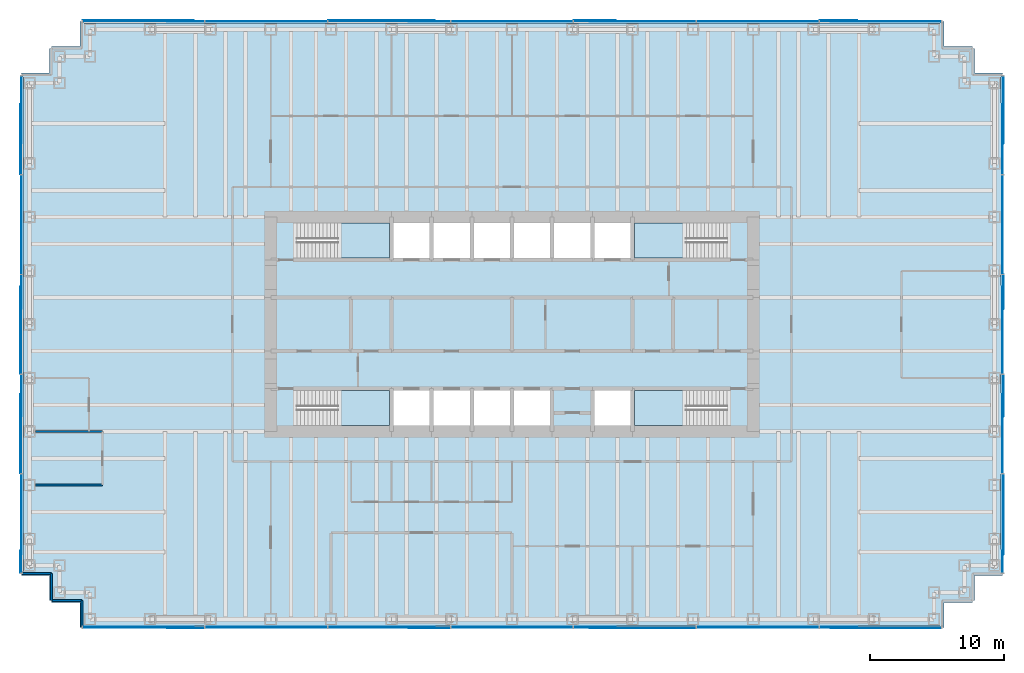
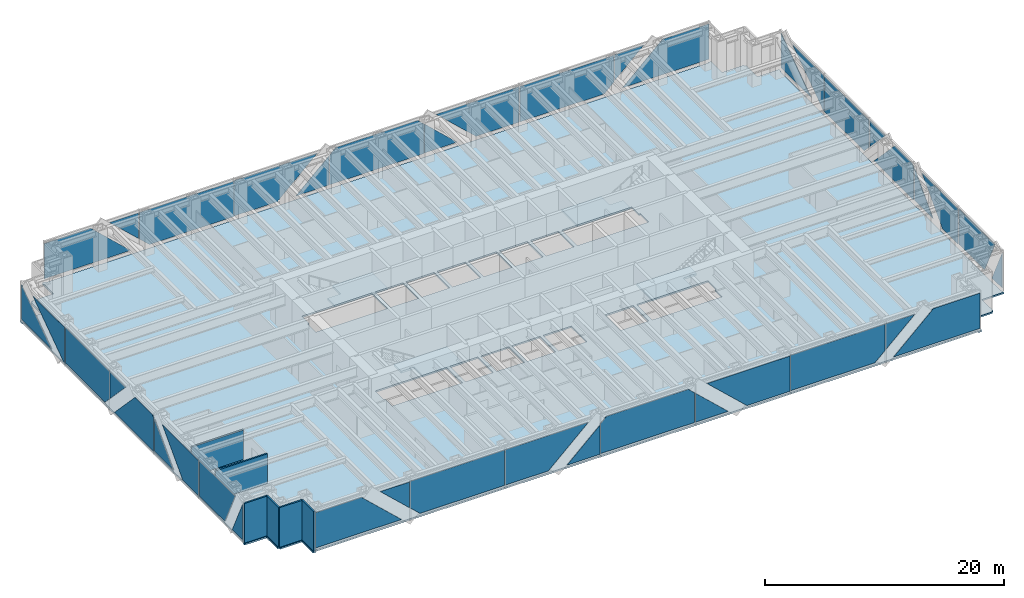
# One storey, part 10 of 15: 40 plates, 6 walls, 5 slabs, 8 elements without a shape of their own.
"""IFC4 building model written with IfcOpenShell, lengths in metres."""

from ifc_helpers import new_model, si_unit, direction, frame, frame_2d, origin, place, context, subcontext, project, spatial, polyline, rectangle, outline, extrude, material, layer, layer_set, type_object, element, aggregate, save


model = new_model("IFC4")

# Units and contexts
model_context = context("Model", 3, precision=1e-05, world=origin(), true_north=direction((0.0, 1.0)))
body_context = subcontext(model_context, "Body", "Model", "MODEL_VIEW")
ifc_project = project(units=[si_unit("LENGTHUNIT", "METRE"), si_unit("AREAUNIT", "SQUARE_METRE"), si_unit("VOLUMEUNIT", "CUBIC_METRE"), si_unit("PLANEANGLEUNIT", "RADIAN"), si_unit("MASSUNIT", "GRAM", prefix="KILO")], contexts=[model_context])

# Site, building, storey
site_placement = place(None, origin())
site = spatial("IfcSite", under=ifc_project, at=site_placement, CompositionType="ELEMENT")
building_placement = place(site_placement, origin())
building = spatial("IfcBuilding", under=site, at=building_placement, Name="Rheinbord Bourse Tower", CompositionType="ELEMENT")
storey_placement = place(building_placement, frame((0.0, 0.0, 117.300048828125)))
storey = spatial("IfcBuildingStorey", under=building, at=storey_placement, Name="L25", CompositionType="ELEMENT", Elevation=117.300048828125)

# Slab
ifc_material_1 = material(Name="Concrete C30/37", Category="concrete")
ifc_layer_1 = layer(ifc_material_1, 0.159912109375)
ifc_layer_set_1 = layer_set([ifc_layer_1], Name="COMPOSITE FLOOR SLAB 160")
slab_type_1 = type_object("IfcSlabType", Name="COMPOSITE FLOOR SLAB 160", PredefinedType="FLOOR", material=ifc_layer_set_1)
slab_1_placement = place(storey_placement, frame((0.0, 0.0, -0.16015625)))
element("IfcSlab", 1, at=slab_1_placement, inside=storey, type_object=slab_type_1, Name="Floor slab L25", PredefinedType="FLOOR", context=body_context, shape_type="SweptSolid", body=[
    extrude(outline(polyline([(1.64990234375, 3.39990234375), (1.5, 3.39990234375), (1.5, 5.25), (-0.60009765625, 5.25), (-0.60009765625, 5.550048828125), (-0.5, 5.550048828125), (-0.5, 42.449951171875), (-0.60009765625, 42.449951171875), (-0.60009765625, 42.75), (1.5, 42.75), (1.5, 44.60009765625), (1.64990234375, 44.60009765625), (1.64990234375, 44.75), (3.75, 44.75), (3.75, 46.60009765625), (4.050048828125, 46.60009765625), (4.050048828125, 46.5), (67.949951171875, 46.5), (67.949951171875, 46.60009765625), (68.25, 46.60009765625), (68.25, 44.75), (70.35009765625, 44.75), (70.35009765625, 44.60009765625), (70.5, 44.60009765625), (70.5, 42.75), (72.60009765625, 42.75), (72.60009765625, 42.449951171875), (72.5, 42.449951171875), (72.5, 5.550048828125), (72.60009765625, 5.550048828125), (72.60009765625, 5.25), (70.5, 5.25), (70.5, 3.39990234375), (70.35009765625, 3.39990234375), (70.35009765625, 3.25), (68.25, 3.25), (68.25, 1.39990234375), (67.949951171875, 1.39990234375), (67.949951171875, 1.5), (4.050048828125, 1.5), (4.050048828125, 1.39990234375), (3.75, 1.39990234375), (3.75, 3.25), (1.64990234375, 3.25), (1.64990234375, 3.39990234375)]), holes=[polyline([(19.949951171875, 19.050048828125), (26.85009765625, 19.050048828125), (26.85009765625, 16.449951171875), (20.10009765625, 16.449951171875), (20.10009765625, 17.64990234375), (19.949951171875, 17.64990234375), (19.949951171875, 19.050048828125)]), polyline([(26.85009765625, 31.550048828125), (26.85009765625, 28.949951171875), (19.949951171875, 28.949951171875), (19.949951171875, 30.35009765625), (20.10009765625, 30.35009765625), (20.10009765625, 31.550048828125), (26.85009765625, 31.550048828125)]), polyline([(45.14990234375, 16.449951171875), (45.14990234375, 19.050048828125), (52.050048828125, 19.050048828125), (52.050048828125, 17.64990234375), (51.89990234375, 17.64990234375), (51.89990234375, 16.449951171875), (45.14990234375, 16.449951171875)]), polyline([(52.050048828125, 28.949951171875), (45.14990234375, 28.949951171875), (45.14990234375, 31.550048828125), (51.89990234375, 31.550048828125), (51.89990234375, 30.35009765625), (52.050048828125, 30.35009765625), (52.050048828125, 28.949951171875)]), polyline([(27.14990234375, 16.449951171875), (27.14990234375, 19.050048828125), (29.85009765625, 19.050048828125), (29.85009765625, 16.449951171875), (27.14990234375, 16.449951171875)]), polyline([(27.14990234375, 28.949951171875), (27.14990234375, 31.550048828125), (29.85009765625, 31.550048828125), (29.85009765625, 28.949951171875), (27.14990234375, 28.949951171875)]), polyline([(30.14990234375, 16.449951171875), (30.14990234375, 19.050048828125), (32.85009765625, 19.050048828125), (32.85009765625, 16.449951171875), (30.14990234375, 16.449951171875)]), polyline([(30.14990234375, 28.949951171875), (30.14990234375, 31.550048828125), (32.85009765625, 31.550048828125), (32.85009765625, 28.949951171875), (30.14990234375, 28.949951171875)]), polyline([(33.14990234375, 16.449951171875), (33.14990234375, 19.050048828125), (35.85009765625, 19.050048828125), (35.85009765625, 16.449951171875), (33.14990234375, 16.449951171875)]), polyline([(33.14990234375, 28.949951171875), (33.14990234375, 31.550048828125), (35.85009765625, 31.550048828125), (35.85009765625, 28.949951171875), (33.14990234375, 28.949951171875)]), polyline([(36.14990234375, 16.449951171875), (36.14990234375, 19.050048828125), (38.85009765625, 19.050048828125), (38.85009765625, 16.449951171875), (36.14990234375, 16.449951171875)]), polyline([(36.14990234375, 28.949951171875), (36.14990234375, 31.550048828125), (38.85009765625, 31.550048828125), (38.85009765625, 28.949951171875), (36.14990234375, 28.949951171875)]), polyline([(39.14990234375, 28.949951171875), (39.14990234375, 31.550048828125), (41.85009765625, 31.550048828125), (41.85009765625, 28.949951171875), (39.14990234375, 28.949951171875)]), polyline([(42.14990234375, 16.449951171875), (42.14990234375, 19.050048828125), (44.85009765625, 19.050048828125), (44.85009765625, 16.449951171875), (42.14990234375, 16.449951171875)]), polyline([(42.14990234375, 28.949951171875), (42.14990234375, 31.550048828125), (44.85009765625, 31.550048828125), (44.85009765625, 28.949951171875), (42.14990234375, 28.949951171875)])]), origin(), (0.0, 0.0, 1.0), 0.16015625),
])

# Curtain wall, plates
ifc_material_2 = material(Name="Dark glass and black aluminium", Category="aluminium")
curtain_wall_type = type_object("IfcCurtainWallType", Name="CW2 DARK GLASS CURTAIN WALL", PredefinedType="USERDEFINED", material=ifc_material_2)
curtain_wall_1_placement = place(storey_placement, origin())
curtain_wall_1 = element("IfcCurtainWall", 2, at=curtain_wall_1_placement, inside=storey, type_object=curtain_wall_type, Name="Curtain wall CW2 S L25", ObjectType="UNITISED CURTAIN WALL", PredefinedType="USERDEFINED")
ifc_material_3 = material(Name="Dark tinted triple insulating glass", Category="glass")
ifc_layer_2 = layer(ifc_material_3, 0.050048828125)
ifc_layer_set_2 = layer_set([ifc_layer_2], Name="CW2 DARK GLASS PANEL")
plate_type = type_object("IfcPlateType", Name="CW2 DARK GLASS PANEL", PredefinedType="CURTAIN_PANEL", material=ifc_layer_set_2)
plate_1_placement = place(storey_placement, frame((3.969970703125, 1.375, 0.300048828125), z_axis=(0.0, 1.0, 0.0), x_axis=(0.0, 0.0, 1.0)))
plate_1 = element("IfcPlate", 3, at=plate_1_placement, type_object=plate_type, Name="CW2 glass facet 1", PredefinedType="CURTAIN_PANEL", context=body_context, shape_type="SweptSolid", body=[
    extrude(outline(polyline([(0.0, 0.0), (3.599853515625, 0.0), (3.599853515625, 4.465087890625), (0.0, 8.322021484375), (0.0, 0.0)])), origin(), (0.0, 0.0, 1.0), 0.050048828125),
])
plate_2_placement = place(storey_placement, frame((13.035888671875, 1.31982421875, 3.89990234375), z_axis=(0.0, 1.0, 0.0), x_axis=(0.0, 0.0, -1.0)))
plate_2 = element("IfcPlate", 4, at=plate_2_placement, type_object=plate_type, Name="CW2 glass facet 2", PredefinedType="CURTAIN_PANEL", context=body_context, shape_type="SweptSolid", body=[
    extrude(outline(polyline([(0.0, 0.0), (2.639892578125, 0.0), (0.0, 2.827880859375), (0.0, 0.0)])), origin(), (0.0, 0.0, 1.0), 0.050048828125),
])
plate_3_placement = place(storey_placement, frame((13.10595703125, 1.375, 3.89990234375), z_axis=(0.0, 1.0, 0.0), x_axis=(1.0, 0.0, 0.0)))
plate_3 = element("IfcPlate", 5, at=plate_3_placement, type_object=plate_type, Name="CW2 glass facet 1", PredefinedType="CURTAIN_PANEL", context=body_context, shape_type="SweptSolid", body=[
    extrude(outline(polyline([(0.0, 0.0), (9.10205078125, 0.0), (9.10205078125, 3.599853515625), (0.958984375, 3.599853515625), (0.0, 2.704833984375), (0.0, 0.0)])), origin(), (0.0, 0.0, 1.0), 0.050048828125),
])
plate_4_placement = place(storey_placement, frame((22.278076171875, 1.375, 0.300048828125), z_axis=(0.0, 1.0, 0.0), x_axis=(0.0, 0.0, 1.0)))
plate_4 = element("IfcPlate", 6, at=plate_4_placement, type_object=plate_type, Name="CW2 glass facet 1", PredefinedType="CURTAIN_PANEL", context=body_context, shape_type="SweptSolid", body=[
    extrude(outline(polyline([(0.0, 0.0), (3.599853515625, 0.0), (3.599853515625, 8.013916015625), (0.0, 4.156982421875), (0.0, 0.0)])), origin(), (0.0, 0.0, 1.0), 0.050048828125),
])
plate_5_placement = place(storey_placement, frame((31.37890625, 1.31982421875, 0.300048828125), z_axis=(0.0, 1.0, 0.0), x_axis=(-1.0, 0.0, 0.0)))
plate_5 = element("IfcPlate", 7, at=plate_5_placement, type_object=plate_type, Name="CW2 glass facet 2", PredefinedType="CURTAIN_PANEL", context=body_context, shape_type="SweptSolid", body=[
    extrude(outline(polyline([(0.0, 0.0), (3.1708984375, 0.0), (0.0, 2.9599609375), (0.0, 0.0)])), origin(), (0.0, 0.0, 1.0), 0.050048828125),
])
plate_6_placement = place(storey_placement, frame((40.551025390625, 1.375, 0.300048828125), z_axis=(0.0, 1.0, 0.0), x_axis=(-1.0, 0.0, 0.0)))
plate_6 = element("IfcPlate", 8, at=plate_6_placement, type_object=plate_type, Name="CW2 glass facet 1", PredefinedType="CURTAIN_PANEL", context=body_context, shape_type="SweptSolid", body=[
    extrude(outline(polyline([(0.0, 0.0), (9.10205078125, 0.0), (9.10205078125, 3.02490234375), (8.486083984375, 3.599853515625), (0.615966796875, 3.599853515625), (0.0, 3.02490234375), (0.0, 0.0)])), origin(), (0.0, 0.0, 1.0), 0.050048828125),
])
plate_7_placement = place(storey_placement, frame((40.62109375, 1.375, 0.300048828125), z_axis=(0.0, 1.0, 0.0), x_axis=(0.0, 0.0, 1.0)))
plate_7 = element("IfcPlate", 9, at=plate_7_placement, type_object=plate_type, Name="CW2 glass facet 1", PredefinedType="CURTAIN_PANEL", context=body_context, shape_type="SweptSolid", body=[
    extrude(outline(polyline([(0.0, 0.0), (2.9599609375, 0.0), (0.0, 3.1708984375), (0.0, 0.0)])), origin(), (0.0, 0.0, 1.0), 0.050048828125),
])
plate_8_placement = place(storey_placement, frame((49.721923828125, 1.31982421875, 3.89990234375), z_axis=(0.0, 1.0, 0.0), x_axis=(0.0, 0.0, -1.0)))
plate_8 = element("IfcPlate", 10, at=plate_8_placement, type_object=plate_type, Name="CW2 glass facet 2", PredefinedType="CURTAIN_PANEL", context=body_context, shape_type="SweptSolid", body=[
    extrude(outline(polyline([(0.0, 0.0), (3.599853515625, 0.0), (3.599853515625, 4.156982421875), (0.0, 8.013916015625), (0.0, 0.0)])), origin(), (0.0, 0.0, 1.0), 0.050048828125),
])
plate_9_placement = place(storey_placement, frame((49.7919921875, 1.375, 0.300048828125), z_axis=(0.0, 1.0, 0.0), x_axis=(0.0, 0.0, 1.0)))
plate_9 = element("IfcPlate", 11, at=plate_9_placement, type_object=plate_type, Name="CW2 glass facet 1", PredefinedType="CURTAIN_PANEL", context=body_context, shape_type="SweptSolid", body=[
    extrude(outline(polyline([(0.0, 0.0), (3.599853515625, 0.0), (3.599853515625, 9.10205078125), (0.89501953125, 9.10205078125), (0.0, 8.14306640625), (0.0, 0.0)])), origin(), (0.0, 0.0, 1.0), 0.050048828125),
])
plate_10_placement = place(storey_placement, frame((58.964111328125, 1.375, 3.89990234375), z_axis=(0.0, 1.0, 0.0), x_axis=(1.0, 0.0, 0.0)))
plate_10 = element("IfcPlate", 12, at=plate_10_placement, type_object=plate_type, Name="CW2 glass facet 1", PredefinedType="CURTAIN_PANEL", context=body_context, shape_type="SweptSolid", body=[
    extrude(outline(polyline([(0.0, 0.0), (2.827880859375, 0.0), (0.0, 2.639892578125), (0.0, 0.0)])), origin(), (0.0, 0.0, 1.0), 0.050048828125),
])
plate_11_placement = place(storey_placement, frame((68.030029296875, 1.31982421875, 3.89990234375), z_axis=(0.0, 1.0, 0.0), x_axis=(0.0, 0.0, -1.0)))
plate_11 = element("IfcPlate", 13, at=plate_11_placement, type_object=plate_type, Name="CW2 glass facet 2", PredefinedType="CURTAIN_PANEL", context=body_context, shape_type="SweptSolid", body=[
    extrude(outline(polyline([(0.0, 0.0), (3.599853515625, 0.0), (3.599853515625, 8.322021484375), (0.0, 4.465087890625), (0.0, 0.0)])), origin(), (0.0, 0.0, 1.0), 0.050048828125),
])
aggregate(curtain_wall_1, [plate_1, plate_2, plate_3, plate_4, plate_5, plate_6, plate_7, plate_8, plate_9, plate_10, plate_11])

curtain_wall_2_placement = place(storey_placement, origin())
curtain_wall_2 = element("IfcCurtainWall", 14, at=curtain_wall_2_placement, inside=storey, type_object=curtain_wall_type, Name="Curtain wall CW2 E L25", ObjectType="UNITISED CURTAIN WALL", PredefinedType="USERDEFINED")
plate_12_placement = place(storey_placement, frame((72.625, 5.469970703125, 0.300048828125), z_axis=(-1.0, 0.0, 0.0), x_axis=(0.0, 0.0, 1.0)))
plate_12 = element("IfcPlate", 15, at=plate_12_placement, type_object=plate_type, Name="CW2 glass facet 1", PredefinedType="CURTAIN_PANEL", context=body_context, shape_type="SweptSolid", body=[
    extrude(outline(polyline([(0.0, 0.0), (3.599853515625, 0.0), (3.599853515625, 0.0029296875), (0.0, 1.717041015625), (0.0, 0.0)])), origin(), (0.0, 0.0, 1.0), 0.050048828125),
])
plate_13_placement = place(storey_placement, frame((72.68017578125, 12.804931640625, 3.89990234375), z_axis=(-1.0, 0.0, 0.0), x_axis=(0.0, 0.0, -1.0)))
plate_13 = element("IfcPlate", 16, at=plate_13_placement, type_object=plate_type, Name="CW2 glass facet 2", PredefinedType="CURTAIN_PANEL", context=body_context, shape_type="SweptSolid", body=[
    extrude(outline(polyline([(0.0, 0.0), (3.599853515625, 0.0), (3.599853515625, 4.27783203125), (0.0, 5.991943359375), (0.0, 0.0)])), origin(), (0.0, 0.0, 1.0), 0.050048828125),
])
plate_14_placement = place(storey_placement, frame((72.625, 12.875, 0.300048828125), z_axis=(-1.0, 0.0, 0.0), x_axis=(0.0, 0.0, 1.0)))
plate_14 = element("IfcPlate", 17, at=plate_14_placement, type_object=plate_type, Name="CW2 glass facet 1", PredefinedType="CURTAIN_PANEL", context=body_context, shape_type="SweptSolid", body=[
    extrude(outline(polyline([(0.0, 0.0), (3.599853515625, 0.0), (3.599853515625, 6.00390625), (0.0, 2.574951171875), (0.0, 0.0)])), origin(), (0.0, 0.0, 1.0), 0.050048828125),
])
plate_15_placement = place(storey_placement, frame((72.68017578125, 20.2451171875, 0.300048828125), z_axis=(-1.0, 0.0, 0.0), x_axis=(0.0, -1.0, 0.0)))
plate_15 = element("IfcPlate", 18, at=plate_15_placement, type_object=plate_type, Name="CW2 glass facet 2", PredefinedType="CURTAIN_PANEL", context=body_context, shape_type="SweptSolid", body=[
    extrude(outline(polyline([(0.0, 0.0), (3.1240234375, 0.0), (0.0, 3.27978515625), (0.0, 0.0)])), origin(), (0.0, 0.0, 1.0), 0.050048828125),
])
plate_16_placement = place(storey_placement, frame((72.625, 20.31494140625, 0.300048828125), z_axis=(-1.0, 0.0, 0.0), x_axis=(0.0, 0.0, 1.0)))
plate_16 = element("IfcPlate", 19, at=plate_16_placement, type_object=plate_type, Name="CW2 glass facet 1", PredefinedType="CURTAIN_PANEL", context=body_context, shape_type="SweptSolid", body=[
    extrude(outline(polyline([(0.0, 0.0), (3.35400390625, 0.0), (3.599853515625, 0.235107421875), (3.599853515625, 3.135009765625), (0.0, 6.56396484375), (0.0, 0.0)])), origin(), (0.0, 0.0, 1.0), 0.050048828125),
])
plate_17_placement = place(storey_placement, frame((72.68017578125, 27.68505859375, 3.89990234375), z_axis=(-1.0, 0.0, 0.0), x_axis=(0.0, 0.0, -1.0)))
plate_17 = element("IfcPlate", 20, at=plate_17_placement, type_object=plate_type, Name="CW2 glass facet 2", PredefinedType="CURTAIN_PANEL", context=body_context, shape_type="SweptSolid", body=[
    extrude(outline(polyline([(0.0, 0.0), (2.69189453125, 0.0), (0.0, 2.56396484375), (0.0, 0.0)])), origin(), (0.0, 0.0, 1.0), 0.050048828125),
])
plate_18_placement = place(storey_placement, frame((72.625, 27.7548828125, 3.89990234375), z_axis=(-1.0, 0.0, 0.0), x_axis=(0.0, 1.0, 0.0)))
plate_18 = element("IfcPlate", 21, at=plate_18_placement, type_object=plate_type, Name="CW2 glass facet 1", PredefinedType="CURTAIN_PANEL", context=body_context, shape_type="SweptSolid", body=[
    extrude(outline(polyline([(0.0, 0.0), (7.3701171875, 0.0), (7.3701171875, 3.599853515625), (0.795166015625, 3.599853515625), (0.0, 2.765869140625), (0.0, 0.0)])), origin(), (0.0, 0.0, 1.0), 0.050048828125),
])
plate_19_placement = place(storey_placement, frame((72.625, 35.195068359375, 0.300048828125), z_axis=(-1.0, 0.0, 0.0), x_axis=(0.0, 0.0, 1.0)))
plate_19 = element("IfcPlate", 22, at=plate_19_placement, type_object=plate_type, Name="CW2 glass facet 1", PredefinedType="CURTAIN_PANEL", context=body_context, shape_type="SweptSolid", body=[
    extrude(outline(polyline([(0.0, 0.0), (3.599853515625, 0.0), (3.599853515625, 5.321044921875), (0.0, 0.178955078125), (0.0, 0.0)])), origin(), (0.0, 0.0, 1.0), 0.050048828125),
])
plate_20_placement = place(storey_placement, frame((72.68017578125, 42.530029296875, 0.300048828125), z_axis=(-1.0, 0.0, 0.0), x_axis=(0.0, -1.0, 0.0)))
plate_20 = element("IfcPlate", 23, at=plate_20_placement, type_object=plate_type, Name="CW2 glass facet 2", PredefinedType="CURTAIN_PANEL", context=body_context, shape_type="SweptSolid", body=[
    extrude(outline(polyline([(0.0, 0.0), (5.046142578125, 0.0), (0.0, 3.532958984375), (0.0, 0.0)])), origin(), (0.0, 0.0, 1.0), 0.050048828125),
])
aggregate(curtain_wall_2, [plate_12, plate_13, plate_14, plate_15, plate_16, plate_17, plate_18, plate_19, plate_20])

curtain_wall_3_placement = place(storey_placement, origin())
curtain_wall_3 = element("IfcCurtainWall", 24, at=curtain_wall_3_placement, inside=storey, type_object=curtain_wall_type, Name="Curtain wall CW2 N L25", ObjectType="UNITISED CURTAIN WALL", PredefinedType="USERDEFINED")
plate_21_placement = place(storey_placement, frame((68.030029296875, 46.625, 0.300048828125), z_axis=(0.0, -1.0, 0.0), x_axis=(0.0, 0.0, 1.0)))
plate_21 = element("IfcPlate", 25, at=plate_21_placement, type_object=plate_type, Name="CW2 glass facet 1", PredefinedType="CURTAIN_PANEL", context=body_context, shape_type="SweptSolid", body=[
    extrude(outline(polyline([(0.0, 0.0), (3.599853515625, 0.0), (3.599853515625, 4.465087890625), (0.0, 8.322021484375), (0.0, 0.0)])), origin(), (0.0, 0.0, 1.0), 0.050048828125),
])
plate_22_placement = place(storey_placement, frame((58.964111328125, 46.68017578125, 3.89990234375), z_axis=(0.0, -1.0, 0.0), x_axis=(0.0, 0.0, -1.0)))
plate_22 = element("IfcPlate", 26, at=plate_22_placement, type_object=plate_type, Name="CW2 glass facet 2", PredefinedType="CURTAIN_PANEL", context=body_context, shape_type="SweptSolid", body=[
    extrude(outline(polyline([(0.0, 0.0), (2.639892578125, 0.0), (0.0, 2.827880859375), (0.0, 0.0)])), origin(), (0.0, 0.0, 1.0), 0.050048828125),
])
plate_23_placement = place(storey_placement, frame((58.89404296875, 46.625, 3.89990234375), z_axis=(0.0, -1.0, 0.0), x_axis=(-1.0, 0.0, 0.0)))
plate_23 = element("IfcPlate", 27, at=plate_23_placement, type_object=plate_type, Name="CW2 glass facet 1", PredefinedType="CURTAIN_PANEL", context=body_context, shape_type="SweptSolid", body=[
    extrude(outline(polyline([(0.0, 0.0), (9.10205078125, 0.0), (9.10205078125, 3.599853515625), (0.958984375, 3.599853515625), (0.0, 2.704833984375), (0.0, 0.0)])), origin(), (0.0, 0.0, 1.0), 0.050048828125),
])
plate_24_placement = place(storey_placement, frame((49.721923828125, 46.625, 0.300048828125), z_axis=(0.0, -1.0, 0.0), x_axis=(0.0, 0.0, 1.0)))
plate_24 = element("IfcPlate", 28, at=plate_24_placement, type_object=plate_type, Name="CW2 glass facet 1", PredefinedType="CURTAIN_PANEL", context=body_context, shape_type="SweptSolid", body=[
    extrude(outline(polyline([(0.0, 0.0), (3.599853515625, 0.0), (3.599853515625, 8.013916015625), (0.0, 4.156982421875), (0.0, 0.0)])), origin(), (0.0, 0.0, 1.0), 0.050048828125),
])
plate_25_placement = place(storey_placement, frame((40.62109375, 46.68017578125, 0.300048828125), z_axis=(0.0, -1.0, 0.0), x_axis=(1.0, 0.0, 0.0)))
plate_25 = element("IfcPlate", 29, at=plate_25_placement, type_object=plate_type, Name="CW2 glass facet 2", PredefinedType="CURTAIN_PANEL", context=body_context, shape_type="SweptSolid", body=[
    extrude(outline(polyline([(0.0, 0.0), (3.1708984375, 0.0), (0.0, 2.9599609375), (0.0, 0.0)])), origin(), (0.0, 0.0, 1.0), 0.050048828125),
])
plate_26_placement = place(storey_placement, frame((31.448974609375, 46.625, 0.300048828125), z_axis=(0.0, -1.0, 0.0), x_axis=(1.0, 0.0, 0.0)))
plate_26 = element("IfcPlate", 30, at=plate_26_placement, type_object=plate_type, Name="CW2 glass facet 1", PredefinedType="CURTAIN_PANEL", context=body_context, shape_type="SweptSolid", body=[
    extrude(outline(polyline([(0.0, 0.0), (9.10205078125, 0.0), (9.10205078125, 3.02490234375), (8.486083984375, 3.599853515625), (0.615966796875, 3.599853515625), (0.0, 3.02490234375), (0.0, 0.0)])), origin(), (0.0, 0.0, 1.0), 0.050048828125),
])
plate_27_placement = place(storey_placement, frame((31.37890625, 46.625, 0.300048828125), z_axis=(0.0, -1.0, 0.0), x_axis=(0.0, 0.0, 1.0)))
plate_27 = element("IfcPlate", 31, at=plate_27_placement, type_object=plate_type, Name="CW2 glass facet 1", PredefinedType="CURTAIN_PANEL", context=body_context, shape_type="SweptSolid", body=[
    extrude(outline(polyline([(0.0, 0.0), (2.9599609375, 0.0), (0.0, 3.1708984375), (0.0, 0.0)])), origin(), (0.0, 0.0, 1.0), 0.050048828125),
])
plate_28_placement = place(storey_placement, frame((22.278076171875, 46.68017578125, 3.89990234375), z_axis=(0.0, -1.0, 0.0), x_axis=(0.0, 0.0, -1.0)))
plate_28 = element("IfcPlate", 32, at=plate_28_placement, type_object=plate_type, Name="CW2 glass facet 2", PredefinedType="CURTAIN_PANEL", context=body_context, shape_type="SweptSolid", body=[
    extrude(outline(polyline([(0.0, 0.0), (3.599853515625, 0.0), (3.599853515625, 4.156982421875), (0.0, 8.013916015625), (0.0, 0.0)])), origin(), (0.0, 0.0, 1.0), 0.050048828125),
])
plate_29_placement = place(storey_placement, frame((22.2080078125, 46.625, 0.300048828125), z_axis=(0.0, -1.0, 0.0), x_axis=(0.0, 0.0, 1.0)))
plate_29 = element("IfcPlate", 33, at=plate_29_placement, type_object=plate_type, Name="CW2 glass facet 1", PredefinedType="CURTAIN_PANEL", context=body_context, shape_type="SweptSolid", body=[
    extrude(outline(polyline([(0.0, 0.0), (3.599853515625, 0.0), (3.599853515625, 9.10205078125), (0.89501953125, 9.10205078125), (0.0, 8.14306640625), (0.0, 0.0)])), origin(), (0.0, 0.0, 1.0), 0.050048828125),
])
plate_30_placement = place(storey_placement, frame((13.035888671875, 46.625, 3.89990234375), z_axis=(0.0, -1.0, 0.0), x_axis=(-1.0, 0.0, 0.0)))
plate_30 = element("IfcPlate", 34, at=plate_30_placement, type_object=plate_type, Name="CW2 glass facet 1", PredefinedType="CURTAIN_PANEL", context=body_context, shape_type="SweptSolid", body=[
    extrude(outline(polyline([(0.0, 0.0), (2.827880859375, 0.0), (0.0, 2.639892578125), (0.0, 0.0)])), origin(), (0.0, 0.0, 1.0), 0.050048828125),
])
plate_31_placement = place(storey_placement, frame((3.969970703125, 46.68017578125, 3.89990234375), z_axis=(0.0, -1.0, 0.0), x_axis=(0.0, 0.0, -1.0)))
plate_31 = element("IfcPlate", 35, at=plate_31_placement, type_object=plate_type, Name="CW2 glass facet 2", PredefinedType="CURTAIN_PANEL", context=body_context, shape_type="SweptSolid", body=[
    extrude(outline(polyline([(0.0, 0.0), (3.599853515625, 0.0), (3.599853515625, 8.322021484375), (0.0, 4.465087890625), (0.0, 0.0)])), origin(), (0.0, 0.0, 1.0), 0.050048828125),
])
aggregate(curtain_wall_3, [plate_21, plate_22, plate_23, plate_24, plate_25, plate_26, plate_27, plate_28, plate_29, plate_30, plate_31])

curtain_wall_4_placement = place(storey_placement, origin())
curtain_wall_4 = element("IfcCurtainWall", 36, at=curtain_wall_4_placement, inside=storey, type_object=curtain_wall_type, Name="Curtain wall CW2 W L25", ObjectType="UNITISED CURTAIN WALL", PredefinedType="USERDEFINED")
plate_32_placement = place(storey_placement, frame((-0.625, 42.530029296875, 0.300048828125), z_axis=(1.0, 0.0, 0.0), x_axis=(0.0, 0.0, 1.0)))
plate_32 = element("IfcPlate", 37, at=plate_32_placement, type_object=plate_type, Name="CW2 glass facet 1", PredefinedType="CURTAIN_PANEL", context=body_context, shape_type="SweptSolid", body=[
    extrude(outline(polyline([(0.0, 0.0), (3.532958984375, 0.0), (0.0, 5.046142578125), (0.0, 0.0)])), origin(), (0.0, 0.0, 1.0), 0.050048828125),
])
plate_33_placement = place(storey_placement, frame((-0.68017578125, 35.195068359375, 3.89990234375), z_axis=(1.0, 0.0, 0.0), x_axis=(0.0, 0.0, -1.0)))
plate_33 = element("IfcPlate", 38, at=plate_33_placement, type_object=plate_type, Name="CW2 glass facet 2", PredefinedType="CURTAIN_PANEL", context=body_context, shape_type="SweptSolid", body=[
    extrude(outline(polyline([(0.0, 0.0), (3.599853515625, 0.0), (3.599853515625, 0.178955078125), (0.0, 5.321044921875), (0.0, 0.0)])), origin(), (0.0, 0.0, 1.0), 0.050048828125),
])
plate_34_placement = place(storey_placement, frame((-0.625, 35.125, 0.300048828125), z_axis=(1.0, 0.0, 0.0), x_axis=(0.0, 0.0, 1.0)))
plate_34 = element("IfcPlate", 39, at=plate_34_placement, type_object=plate_type, Name="CW2 glass facet 1", PredefinedType="CURTAIN_PANEL", context=body_context, shape_type="SweptSolid", body=[
    extrude(outline(polyline([(0.0, 0.0), (3.599853515625, 0.0), (3.599853515625, 7.3701171875), (0.833984375, 7.3701171875), (0.0, 6.574951171875), (0.0, 0.0)])), origin(), (0.0, 0.0, 1.0), 0.050048828125),
])
plate_35_placement = place(storey_placement, frame((-0.625, 27.68505859375, 3.89990234375), z_axis=(1.0, 0.0, 0.0), x_axis=(0.0, -1.0, 0.0)))
plate_35 = element("IfcPlate", 40, at=plate_35_placement, type_object=plate_type, Name="CW2 glass facet 1", PredefinedType="CURTAIN_PANEL", context=body_context, shape_type="SweptSolid", body=[
    extrude(outline(polyline([(0.0, 0.0), (2.56396484375, 0.0), (0.0, 2.69189453125), (0.0, 0.0)])), origin(), (0.0, 0.0, 1.0), 0.050048828125),
])
plate_36_placement = place(storey_placement, frame((-0.68017578125, 20.31494140625, 0.300048828125), z_axis=(1.0, 0.0, 0.0), x_axis=(0.0, 1.0, 0.0)))
plate_36 = element("IfcPlate", 41, at=plate_36_placement, type_object=plate_type, Name="CW2 glass facet 2", PredefinedType="CURTAIN_PANEL", context=body_context, shape_type="SweptSolid", body=[
    extrude(outline(polyline([(0.0, 0.0), (6.56396484375, 0.0), (3.135009765625, 3.599853515625), (0.235107421875, 3.599853515625), (0.0, 3.35400390625), (0.0, 0.0)])), origin(), (0.0, 0.0, 1.0), 0.050048828125),
])
plate_37_placement = place(storey_placement, frame((-0.625, 20.2451171875, 0.300048828125), z_axis=(1.0, 0.0, 0.0), x_axis=(0.0, 0.0, 1.0)))
plate_37 = element("IfcPlate", 42, at=plate_37_placement, type_object=plate_type, Name="CW2 glass facet 1", PredefinedType="CURTAIN_PANEL", context=body_context, shape_type="SweptSolid", body=[
    extrude(outline(polyline([(0.0, 0.0), (3.27978515625, 0.0), (0.0, 3.1240234375), (0.0, 0.0)])), origin(), (0.0, 0.0, 1.0), 0.050048828125),
])
plate_38_placement = place(storey_placement, frame((-0.68017578125, 12.875, 3.89990234375), z_axis=(1.0, 0.0, 0.0), x_axis=(0.0, 0.0, -1.0)))
plate_38 = element("IfcPlate", 43, at=plate_38_placement, type_object=plate_type, Name="CW2 glass facet 2", PredefinedType="CURTAIN_PANEL", context=body_context, shape_type="SweptSolid", body=[
    extrude(outline(polyline([(0.0, 0.0), (3.599853515625, 0.0), (3.599853515625, 2.574951171875), (0.0, 6.00390625), (0.0, 0.0)])), origin(), (0.0, 0.0, 1.0), 0.050048828125),
])
plate_39_placement = place(storey_placement, frame((-0.625, 12.804931640625, 0.300048828125), z_axis=(1.0, 0.0, 0.0), x_axis=(0.0, 0.0, 1.0)))
plate_39 = element("IfcPlate", 44, at=plate_39_placement, type_object=plate_type, Name="CW2 glass facet 1", PredefinedType="CURTAIN_PANEL", context=body_context, shape_type="SweptSolid", body=[
    extrude(outline(polyline([(0.0, 0.0), (3.599853515625, 0.0), (3.599853515625, 5.991943359375), (0.0, 4.27783203125), (0.0, 0.0)])), origin(), (0.0, 0.0, 1.0), 0.050048828125),
])
plate_40_placement = place(storey_placement, frame((-0.68017578125, 5.469970703125, 3.89990234375), z_axis=(1.0, 0.0, 0.0), x_axis=(0.0, 0.0, -1.0)))
plate_40 = element("IfcPlate", 45, at=plate_40_placement, type_object=plate_type, Name="CW2 glass facet 2", PredefinedType="CURTAIN_PANEL", context=body_context, shape_type="SweptSolid", body=[
    extrude(outline(polyline([(0.0, 0.0), (3.599853515625, 0.0), (3.599853515625, 1.717041015625), (0.0, 0.0029296875), (0.0, 0.0)])), origin(), (0.0, 0.0, 1.0), 0.050048828125),
])
aggregate(curtain_wall_4, [plate_32, plate_33, plate_34, plate_35, plate_36, plate_37, plate_38, plate_39, plate_40])

# Stair, slab
ifc_material_4 = material(Name="Concrete C30/37", Category="concrete")
stair_type = type_object("IfcStairType", Name="CORE STAIR HALF TURN 4200", PredefinedType="HALF_TURN_STAIR", material=ifc_material_4)
stair_1_placement = place(storey_placement, origin())
stair_1 = element("IfcStair", 46, at=stair_1_placement, inside=storey, type_object=stair_type, Name="Stair ST1 L25, type CS6", PredefinedType="HALF_TURN_STAIR")
ifc_material_5 = material(Name="Concrete C30/37", Category="concrete")
ifc_layer_3 = layer(ifc_material_5, 0.199951171875)
ifc_layer_set_3 = layer_set([ifc_layer_3], Name="STAIR LANDING 200")
slab_type_2 = type_object("IfcSlabType", Name="STAIR LANDING 200", PredefinedType="LANDING", material=ifc_layer_set_3)
slab_2_placement = place(storey_placement, frame((0.0, 0.0, 1.89990234375)))
slab_2 = element("IfcSlab", 47, at=slab_2_placement, type_object=slab_type_2, Name="Half landing ST1 L25", PredefinedType="LANDING", context=body_context, shape_type="SweptSolid", body=[
    extrude(outline(polyline([(23.030029296875, 16.449951171875), (26.85009765625, 16.449951171875), (26.85009765625, 19.050048828125), (21.748046875, 19.050048828125), (21.748046875, 17.85009765625), (23.030029296875, 17.85009765625), (23.030029296875, 16.449951171875)])), origin(), (0.0, 0.0, 1.0), 0.199951171875),
])
aggregate(stair_1, [slab_2])

stair_2_placement = place(storey_placement, origin())
stair_2 = element("IfcStair", 48, at=stair_2_placement, inside=storey, type_object=stair_type, Name="Stair ST2 L25, type CS6", PredefinedType="HALF_TURN_STAIR")
slab_3_placement = place(storey_placement, frame((0.0, 0.0, 1.89990234375)))
slab_3 = element("IfcSlab", 49, at=slab_3_placement, type_object=slab_type_2, Name="Half landing ST2 L25", PredefinedType="LANDING", context=body_context, shape_type="SweptSolid", body=[
    extrude(outline(polyline([(21.748046875, 28.949951171875), (26.85009765625, 28.949951171875), (26.85009765625, 31.550048828125), (23.030029296875, 31.550048828125), (23.030029296875, 30.14990234375), (21.748046875, 30.14990234375), (21.748046875, 28.949951171875)])), origin(), (0.0, 0.0, 1.0), 0.199951171875),
])
aggregate(stair_2, [slab_3])

stair_3_placement = place(storey_placement, origin())
stair_3 = element("IfcStair", 50, at=stair_3_placement, inside=storey, type_object=stair_type, Name="Stair ST3 L25, type CS6", PredefinedType="HALF_TURN_STAIR")
slab_4_placement = place(storey_placement, frame((0.0, 0.0, 1.89990234375)))
slab_4 = element("IfcSlab", 51, at=slab_4_placement, type_object=slab_type_2, Name="Half landing ST3 L25", PredefinedType="LANDING", context=body_context, shape_type="SweptSolid", body=[
    extrude(outline(polyline([(45.14990234375, 16.449951171875), (48.969970703125, 16.449951171875), (48.969970703125, 17.85009765625), (50.251953125, 17.85009765625), (50.251953125, 19.050048828125), (45.14990234375, 19.050048828125), (45.14990234375, 16.449951171875)])), origin(), (0.0, 0.0, 1.0), 0.199951171875),
])
aggregate(stair_3, [slab_4])

stair_4_placement = place(storey_placement, origin())
stair_4 = element("IfcStair", 52, at=stair_4_placement, inside=storey, type_object=stair_type, Name="Stair ST4 L25, type CS6", PredefinedType="HALF_TURN_STAIR")
slab_5_placement = place(storey_placement, frame((0.0, 0.0, 1.89990234375)))
slab_5 = element("IfcSlab", 53, at=slab_5_placement, type_object=slab_type_2, Name="Half landing ST4 L25", PredefinedType="LANDING", context=body_context, shape_type="SweptSolid", body=[
    extrude(outline(polyline([(45.14990234375, 28.949951171875), (50.251953125, 28.949951171875), (50.251953125, 30.14990234375), (48.969970703125, 30.14990234375), (48.969970703125, 31.550048828125), (45.14990234375, 31.550048828125), (45.14990234375, 28.949951171875)])), origin(), (0.0, 0.0, 1.0), 0.199951171875),
])
aggregate(stair_4, [slab_5])

# Walls
ifc_material_6 = material(Name="Black metal rainscreen panel", Category="aluminium")
ifc_layer_4 = layer(ifc_material_6, 0.14990234375)
ifc_layer_set_4 = layer_set([ifc_layer_4], Name="CORNER PIER CLADDING 150")
wall_type_1 = type_object("IfcWallType", Name="CORNER PIER CLADDING 150", PredefinedType="ELEMENTEDWALL", material=ifc_layer_set_4)
wall_1_placement = place(storey_placement, frame((-0.60009765625, 5.39990234375, 0.0), z_axis=(0.0, 0.0, 1.0), x_axis=(1.0, 0.0, 0.0)))
element("IfcWall", 54, at=wall_1_placement, inside=storey, type_object=wall_type_1, Name="Corner pier cladding L25 17", PredefinedType="ELEMENTEDWALL", context=body_context, shape_type="SweptSolid", body=[
    extrude(rectangle(XDim=2.25, YDim=0.14990234375, at=frame_2d((1.125, 0.0))), origin(), (0.0, 0.0, 1.0), 4.0400390625),
])
wall_2_placement = place(storey_placement, frame((1.64990234375, 5.39990234375, 0.0), z_axis=(0.0, 0.0, 1.0), x_axis=(0.0, -1.0, 0.0)))
element("IfcWall", 55, at=wall_2_placement, inside=storey, type_object=wall_type_1, Name="Corner pier cladding L25 18", PredefinedType="ELEMENTEDWALL", context=body_context, shape_type="SweptSolid", body=[
    extrude(rectangle(XDim=2.0, YDim=0.14990234375, at=frame_2d((1.0, 0.0))), origin(), (0.0, 0.0, 1.0), 4.0400390625),
])
wall_3_placement = place(storey_placement, frame((1.64990234375, 3.39990234375, 0.0), z_axis=(0.0, 0.0, 1.0), x_axis=(1.0, 0.0, 0.0)))
element("IfcWall", 56, at=wall_3_placement, inside=storey, type_object=wall_type_1, Name="Corner pier cladding L25 19", PredefinedType="ELEMENTEDWALL", context=body_context, shape_type="SweptSolid", body=[
    extrude(rectangle(XDim=2.25, YDim=0.14990234375, at=frame_2d((1.125, 0.0))), origin(), (0.0, 0.0, 1.0), 4.0400390625),
])
wall_4_placement = place(storey_placement, frame((3.89990234375, 3.39990234375, 0.0), z_axis=(0.0, 0.0, 1.0), x_axis=(0.0, -1.0, 0.0)))
element("IfcWall", 57, at=wall_4_placement, inside=storey, type_object=wall_type_1, Name="Corner pier cladding L25 20", PredefinedType="ELEMENTEDWALL", context=body_context, shape_type="SweptSolid", body=[
    extrude(rectangle(XDim=2.0, YDim=0.14990234375, at=frame_2d((1.0, 0.0))), origin(), (0.0, 0.0, 1.0), 4.0400390625),
])
ifc_material_7 = material(Name="Gypsum board fire partition", Category="gypsum board")
ifc_layer_5 = layer(ifc_material_7, 0.14990234375)
ifc_layer_set_5 = layer_set([ifc_layer_5], Name="FIRE PARTITION 150 EI60")
wall_type_2 = type_object("IfcWallType", Name="FIRE PARTITION 150 EI60", PredefinedType="PARTITIONING", material=ifc_layer_set_5)
for number, where, z_axis, x_axis, name in (
    (58, (0.449951171875, 12.0, 0.0), (0.0, 0.0, 1.0), (1.0, 0.0, 0.0), "Partition L25-04"),
    (59, (0.449951171875, 16.0, 0.0), (0.0, 0.0, 1.0), (1.0, 0.0, 0.0), "Partition L25-06"),
):
    element("IfcWall", number, at=place(storey_placement, frame(where, z_axis=z_axis, x_axis=x_axis)), inside=storey, type_object=wall_type_2, Name=name, PredefinedType="PARTITIONING", context=body_context, shape_type="SweptSolid", body=[
        extrude(rectangle(XDim=5.0, YDim=0.14990234375, at=frame_2d((2.5, 0.0))), origin(), (0.0, 0.0, 1.0), 3.0),
    ])

save(model, "model.ifc")
